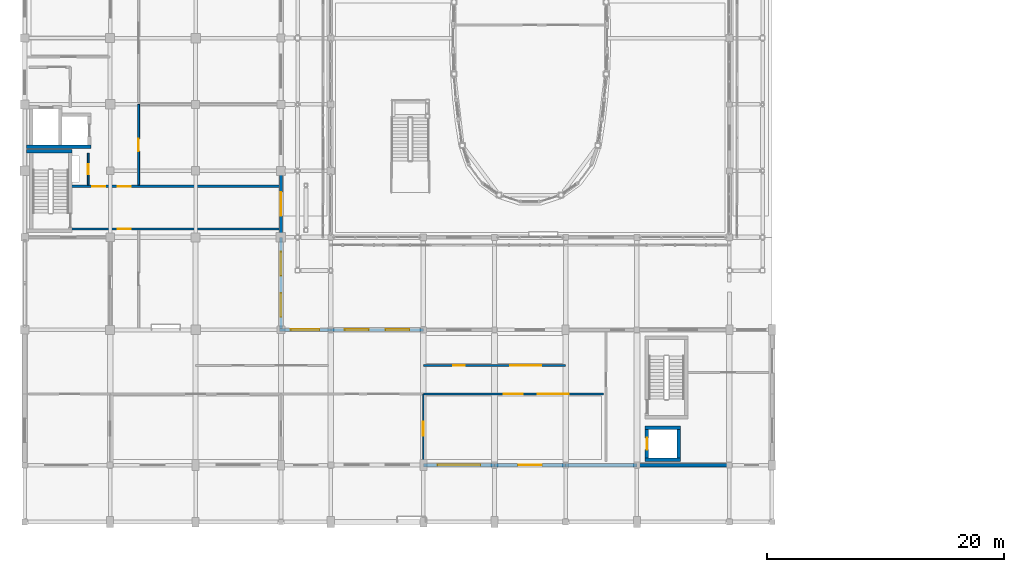
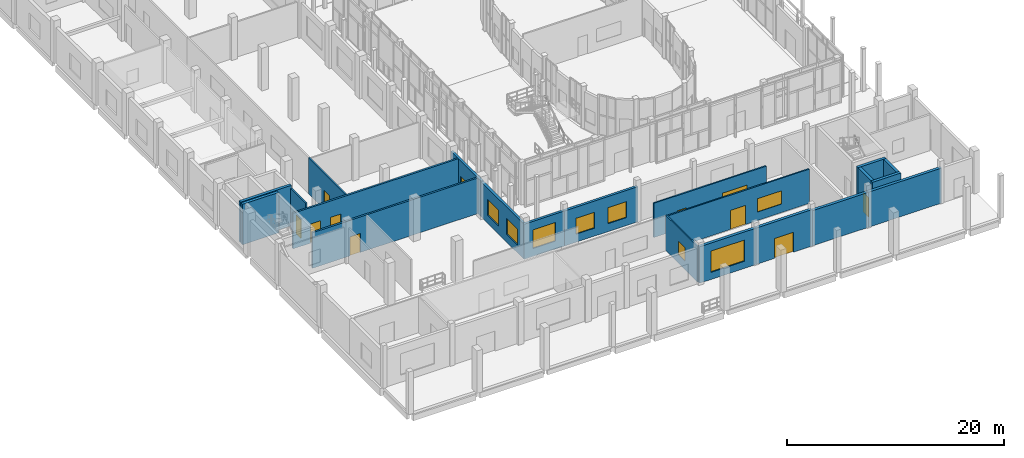
# One storey, part 66 of 91: 21 walls, 10 doors, 9 windows, 19 openings.
"""IFC4 building model written with IfcOpenShell, lengths in metres."""

from ifc_helpers import new_model, si_unit, direction, frame, frame_2d, origin, place, context, subcontext, project, spatial, rectangle, extrude, material, layer, layer_set, type_object, element, fill, save


model = new_model("IFC4")

# Units and contexts
model_context = context("Model", 3, precision=1e-05, world=origin(), true_north=direction((0.0, 1.0)))
body_context = subcontext(model_context, "Body", "Model", "MODEL_VIEW")
ifc_project = project(units=[si_unit("LENGTHUNIT", "METRE"), si_unit("AREAUNIT", "SQUARE_METRE"), si_unit("VOLUMEUNIT", "CUBIC_METRE"), si_unit("PLANEANGLEUNIT", "RADIAN"), si_unit("MASSUNIT", "GRAM", prefix="KILO")], contexts=[model_context])

# Site, building, storey
site_placement = place(None, origin())
site = spatial("IfcSite", under=ifc_project, at=site_placement, CompositionType="ELEMENT")
building_placement = place(site_placement, origin())
building = spatial("IfcBuilding", under=site, at=building_placement, Name="Vinh Khe Railworks Police Headquarters", CompositionType="ELEMENT")
storey_placement = place(building_placement, origin())
storey = spatial("IfcBuildingStorey", under=building, at=storey_placement, Name="L00", CompositionType="ELEMENT", Elevation=0.0)

# Walls
ifc_material_1 = material(Name="Concrete C40/50 (B40)", Category="concrete")
ifc_layer_1 = layer(ifc_material_1, 0.300048828125)
ifc_layer_set_1 = layer_set([ifc_layer_1], Name="Concrete C40/50 (B40)")
wall_type_1 = type_object("IfcWallType", Name="Core Shear Wall 300", PredefinedType="SHEAR", material=ifc_layer_set_1)
wall_1_placement = place(storey_placement, frame((0.75, 32.449951171875, 0.0), z_axis=(0.0, 0.0, 1.0), x_axis=(1.0, 0.0, 0.0)))
element("IfcWall", 1, at=wall_1_placement, inside=storey, type_object=wall_type_1, Name="Core C1 STAIR-N Shear Wall (L00)", PredefinedType="SHEAR", context=body_context, shape_type="SweptSolid", body=[
    extrude(rectangle(XDim=3.85009765625, YDim=0.300048828125, at=frame_2d((1.925048828125, 0.0))), origin(), (0.0, 0.0, 1.0), 4.56005859375),
])
wall_2_placement = place(storey_placement, frame((0.75, 32.85009765625, 0.0), z_axis=(0.0, 0.0, 1.0), x_axis=(1.0, 0.0, 0.0)))
element("IfcWall", 2, at=wall_2_placement, inside=storey, type_object=wall_type_1, Name="Core C1 FL-S Lift Shaft Wall (L00)", PredefinedType="SHEAR", context=body_context, shape_type="SweptSolid", body=[
    extrude(rectangle(XDim=5.449951171875, YDim=0.300048828125, at=frame_2d((2.72509765625, 0.0))), origin(), (0.0, 0.0, 1.0), 4.56005859375),
])
for number, where, z_axis, x_axis, name in (
    (3, (52.89990234375, 6.449951171875, 0.0), (0.0, 0.0, 1.0), (1.0, 0.0, 0.0), "Core C5 PL-S Lift Shaft Wall (L00)"),
    (4, (52.89990234375, 9.14990234375, 0.0), (0.0, 0.0, 1.0), (1.0, 0.0, 0.0), "Core C5 PL-N Lift Shaft Wall (L00)"),
):
    element("IfcWall", number, at=place(storey_placement, frame(where, z_axis=z_axis, x_axis=x_axis)), inside=storey, type_object=wall_type_1, Name=name, PredefinedType="SHEAR", context=body_context, shape_type="SweptSolid", body=[
        extrude(rectangle(XDim=3.0, YDim=0.300048828125, at=frame_2d((1.5, 0.0))), origin(), (0.0, 0.0, 1.0), 4.56005859375),
    ])

# Wall, opening, door
wall_3_placement = place(storey_placement, frame((53.050048828125, 6.60009765625, 0.0), z_axis=(0.0, 0.0, 1.0), x_axis=(0.0, 1.0, 0.0)))
wall_3 = element("IfcWall", 5, at=wall_3_placement, inside=storey, type_object=wall_type_1, Name="Core C5 PL-W Lift Shaft Wall (L00)", PredefinedType="SHEAR", context=body_context, shape_type="SweptSolid", body=[
    extrude(rectangle(XDim=2.39990234375, YDim=0.300048828125, at=frame_2d((1.199951171875, 0.0))), origin(), (0.0, 0.0, 1.0), 4.56005859375),
])
opening_1_placement = place(wall_3_placement, frame((0.699951171875, 0.0, 0.0)))
opening_1 = element("IfcOpeningElement", 6, at=opening_1_placement, cuts=wall_3, Name="Opening LD-02", PredefinedType="OPENING", context=body_context, shape_type="SweptSolid", body=[
    extrude(rectangle(XDim=1.0, YDim=2.14990234375, at=frame_2d((0.5, 1.074951171875))), frame((0.0, 0.1650390625, 0.0), z_axis=(0.0, -1.0, 0.0), x_axis=(1.0, 0.0, 0.0)), (0.0, 0.0, 1.0), 0.329833984375),
])
ifc_material_2 = material(Name="Painted galvanised steel", Category="steel")
door_type_1 = type_object("IfcDoorType", Name="LD-PAX-1000", OperationType="SLIDING_TO_RIGHT", PredefinedType="DOOR", material=ifc_material_2)
door_1_placement = place(opening_1_placement, origin())
door_1 = element("IfcDoor", 7, at=door_1_placement, inside=storey, type_object=door_type_1, Name="Lift Landing Door PL-04 L00", OperationType="SLIDING_TO_LEFT", OverallHeight=2.14990234375, OverallWidth=1.0, PredefinedType="DOOR", context=body_context, shape_type="SweptSolid", body=[
    extrude(rectangle(XDim=1.0, YDim=2.14990234375, at=frame_2d((0.5, 1.074951171875))), frame((0.0, 0.02490234375, 0.0), z_axis=(0.0, -1.0, 0.0), x_axis=(1.0, 0.0, 0.0)), (0.0, 0.0, 1.0), 0.050048828125),
])
fill(opening_1, door_1)

# Wall
wall_4_placement = place(storey_placement, frame((55.75, 6.60009765625, 0.0), z_axis=(0.0, 0.0, 1.0), x_axis=(0.0, 1.0, 0.0)))
element("IfcWall", 8, at=wall_4_placement, inside=storey, type_object=wall_type_1, Name="Core C5 PL-E Lift Shaft Wall (L00)", PredefinedType="SHEAR", context=body_context, shape_type="SweptSolid", body=[
    extrude(rectangle(XDim=2.39990234375, YDim=0.300048828125, at=frame_2d((1.199951171875, 0.0))), origin(), (0.0, 0.0, 1.0), 4.56005859375),
])

# Wall, opening, window
ifc_material_3 = material(Name="Clay brickwork", Category="masonry")
ifc_layer_2 = layer(ifc_material_3, 0.260009765625)
ifc_layer_set_2 = layer_set([ifc_layer_2], Name="Clay brickwork")
wall_type_2 = type_object("IfcWallType", Name="EW-BRK-260", PredefinedType="SOLIDWALL", material=ifc_layer_set_2)
wall_5_placement = place(storey_placement, frame((22.070068359375, 17.39990234375, 0.0), z_axis=(0.0, 0.0, 1.0), x_axis=(1.0, 0.0, 0.0)))
wall_5 = element("IfcWall", 9, at=wall_5_placement, inside=storey, type_object=wall_type_2, Name="Exterior Brick Wall EW-L00-V4N-01", PredefinedType="SOLIDWALL", context=body_context, shape_type="SweptSolid", body=[
    extrude(rectangle(XDim=4.329833984375, YDim=0.260009765625, at=frame_2d((2.1650390625, 0.0))), origin(), (0.0, 0.0, 1.0), 3.955078125),
])
opening_2_placement = place(wall_5_placement, frame((0.965087890625, 0.0, 0.89990234375)))
opening_2 = element("IfcOpeningElement", 10, at=opening_2_placement, cuts=wall_5, Name="Opening WN-02", PredefinedType="OPENING", context=body_context, shape_type="SweptSolid", body=[
    extrude(rectangle(XDim=2.39990234375, YDim=2.10009765625, at=frame_2d((1.199951171875, 1.050048828125))), frame((0.0, 0.14501953125, 0.0), z_axis=(0.0, -1.0, 0.0), x_axis=(1.0, 0.0, 0.0)), (0.0, 0.0, 1.0), 0.289794921875),
])
ifc_material_4 = material(Name="Double-glazed solar-control glass in dark steel frame", Category="steel")
window_type_1 = type_object("IfcWindowType", Name="WIN-WN-02", PartitioningType="DOUBLE_PANEL_VERTICAL", PredefinedType="WINDOW", material=ifc_material_4)
window_1_placement = place(opening_2_placement, origin())
window_1 = element("IfcWindow", 11, at=window_1_placement, inside=storey, type_object=window_type_1, Name="Casement Window WN-02", OverallHeight=2.10009765625, OverallWidth=2.39990234375, PartitioningType="SINGLE_PANEL", PredefinedType="WINDOW", context=body_context, shape_type="SweptSolid", body=[
    extrude(rectangle(XDim=2.39990234375, YDim=2.10009765625, at=frame_2d((1.199951171875, 1.050048828125))), frame((0.0, 0.030029296875, 0.0), z_axis=(0.0, -1.0, 0.0), x_axis=(1.0, 0.0, 0.0)), (0.0, 0.0, 1.0), 0.06005859375),
])
fill(opening_2, window_1)

# Wall, openings, windows
wall_6_placement = place(storey_placement, frame((26.39990234375, 17.39990234375, 0.0), z_axis=(0.0, 0.0, 1.0), x_axis=(1.0, 0.0, 0.0)))
wall_6 = element("IfcWall", 12, at=wall_6_placement, inside=storey, type_object=wall_type_2, Name="Exterior Brick Wall EW-L00-V4N-02", PredefinedType="SOLIDWALL", context=body_context, shape_type="SweptSolid", body=[
    extrude(rectangle(XDim=7.800048828125, YDim=0.260009765625, at=frame_2d((3.89990234375, 0.0))), origin(), (0.0, 0.0, 1.0), 3.955078125),
])
opening_3_placement = place(wall_6_placement, frame((1.18408203125, 0.0, 0.89990234375)))
opening_3 = element("IfcOpeningElement", 13, at=opening_3_placement, cuts=wall_6, Name="Opening WN-04", PredefinedType="OPENING", context=body_context, shape_type="SweptSolid", body=[
    extrude(rectangle(XDim=2.0, YDim=1.800048828125, at=frame_2d((1.0, 0.89990234375))), frame((0.0, 0.14501953125, 0.0), z_axis=(0.0, -1.0, 0.0), x_axis=(1.0, 0.0, 0.0)), (0.0, 0.0, 1.0), 0.289794921875),
])
opening_4_placement = place(wall_6_placement, frame((4.615966796875, 0.0, 0.89990234375)))
opening_4 = element("IfcOpeningElement", 14, at=opening_4_placement, cuts=wall_6, Name="Opening WN-04", PredefinedType="OPENING", context=body_context, shape_type="SweptSolid", body=[
    extrude(rectangle(XDim=2.0, YDim=1.800048828125, at=frame_2d((1.0, 0.89990234375))), frame((0.0, 0.14501953125, 0.0), z_axis=(0.0, -1.0, 0.0), x_axis=(1.0, 0.0, 0.0)), (0.0, 0.0, 1.0), 0.289794921875),
])
window_type_2 = type_object("IfcWindowType", Name="WIN-WN-04", PartitioningType="DOUBLE_PANEL_VERTICAL", PredefinedType="WINDOW", material=ifc_material_4)
window_2_placement = place(opening_3_placement, origin())
window_2 = element("IfcWindow", 15, at=window_2_placement, inside=storey, type_object=window_type_2, Name="Casement Window WN-04", OverallHeight=1.800048828125, OverallWidth=2.0, PartitioningType="SINGLE_PANEL", PredefinedType="WINDOW", context=body_context, shape_type="SweptSolid", body=[
    extrude(rectangle(XDim=2.0, YDim=1.800048828125, at=frame_2d((1.0, 0.89990234375))), frame((0.0, 0.030029296875, 0.0), z_axis=(0.0, -1.0, 0.0), x_axis=(1.0, 0.0, 0.0)), (0.0, 0.0, 1.0), 0.06005859375),
])
fill(opening_3, window_2)
window_3_placement = place(opening_4_placement, origin())
window_3 = element("IfcWindow", 16, at=window_3_placement, inside=storey, type_object=window_type_2, Name="Casement Window WN-04", OverallHeight=1.800048828125, OverallWidth=2.0, PartitioningType="SINGLE_PANEL", PredefinedType="WINDOW", context=body_context, shape_type="SweptSolid", body=[
    extrude(rectangle(XDim=2.0, YDim=1.800048828125, at=frame_2d((1.0, 0.89990234375))), frame((0.0, 0.030029296875, 0.0), z_axis=(0.0, -1.0, 0.0), x_axis=(1.0, 0.0, 0.0)), (0.0, 0.0, 1.0), 0.06005859375),
])
fill(opening_4, window_3)

wall_7_placement = place(storey_placement, frame((22.199951171875, 17.27001953125, 0.0), z_axis=(0.0, 0.0, 1.0), x_axis=(0.0, 1.0, 0.0)))
wall_7 = element("IfcWall", 17, at=wall_7_placement, inside=storey, type_object=wall_type_2, Name="Exterior Brick Wall EW-L00-V5E-01", PredefinedType="SOLIDWALL", context=body_context, shape_type="SweptSolid", body=[
    extrude(rectangle(XDim=7.929931640625, YDim=0.260009765625, at=frame_2d((3.96484375, 0.0))), origin(), (0.0, 0.0, 1.0), 3.955078125),
])
opening_5_placement = place(wall_7_placement, frame((1.220458984375, 0.0, 0.89990234375)))
opening_5 = element("IfcOpeningElement", 18, at=opening_5_placement, cuts=wall_7, Name="Opening WN-04", PredefinedType="OPENING", context=body_context, shape_type="SweptSolid", body=[
    extrude(rectangle(XDim=2.0, YDim=1.800048828125, at=frame_2d((1.0, 0.89990234375))), frame((0.0, 0.14501953125, 0.0), z_axis=(0.0, -1.0, 0.0), x_axis=(1.0, 0.0, 0.0)), (0.0, 0.0, 1.0), 0.289794921875),
])
opening_6_placement = place(wall_7_placement, frame((4.709716796875, 0.0, 0.89990234375)))
opening_6 = element("IfcOpeningElement", 19, at=opening_6_placement, cuts=wall_7, Name="Opening WN-04", PredefinedType="OPENING", context=body_context, shape_type="SweptSolid", body=[
    extrude(rectangle(XDim=2.0, YDim=1.800048828125, at=frame_2d((1.0, 0.89990234375))), frame((0.0, 0.14501953125, 0.0), z_axis=(0.0, -1.0, 0.0), x_axis=(1.0, 0.0, 0.0)), (0.0, 0.0, 1.0), 0.289794921875),
])
window_4_placement = place(opening_5_placement, origin())
window_4 = element("IfcWindow", 20, at=window_4_placement, inside=storey, type_object=window_type_2, Name="Casement Window WN-04", OverallHeight=1.800048828125, OverallWidth=2.0, PartitioningType="SINGLE_PANEL", PredefinedType="WINDOW", context=body_context, shape_type="SweptSolid", body=[
    extrude(rectangle(XDim=2.0, YDim=1.800048828125, at=frame_2d((1.0, 0.89990234375))), frame((0.0, 0.030029296875, 0.0), z_axis=(0.0, -1.0, 0.0), x_axis=(1.0, 0.0, 0.0)), (0.0, 0.0, 1.0), 0.06005859375),
])
fill(opening_5, window_4)
window_5_placement = place(opening_6_placement, origin())
window_5 = element("IfcWindow", 21, at=window_5_placement, inside=storey, type_object=window_type_2, Name="Casement Window WN-04", OverallHeight=1.800048828125, OverallWidth=2.0, PartitioningType="SINGLE_PANEL", PredefinedType="WINDOW", context=body_context, shape_type="SweptSolid", body=[
    extrude(rectangle(XDim=2.0, YDim=1.800048828125, at=frame_2d((1.0, 0.89990234375))), frame((0.0, 0.030029296875, 0.0), z_axis=(0.0, -1.0, 0.0), x_axis=(1.0, 0.0, 0.0)), (0.0, 0.0, 1.0), 0.06005859375),
])
fill(opening_6, window_5)

# Wall, opening, door
wall_8_placement = place(storey_placement, frame((22.199951171875, 25.199951171875, 0.0), z_axis=(0.0, 0.0, 1.0), x_axis=(0.0, 1.0, 0.0)))
wall_8 = element("IfcWall", 22, at=wall_8_placement, inside=storey, type_object=wall_type_2, Name="Exterior Brick Wall EW-L00-V5E-02", PredefinedType="SOLIDWALL", context=body_context, shape_type="SweptSolid", body=[
    extrude(rectangle(XDim=5.60009765625, YDim=0.260009765625, at=frame_2d((2.800048828125, 0.0))), origin(), (0.0, 0.0, 1.0), 4.0048828125),
])
opening_7_placement = place(wall_8_placement, frame((1.800048828125, 0.0, 0.0)))
opening_7 = element("IfcOpeningElement", 23, at=opening_7_placement, cuts=wall_8, Name="Opening ED-01", PredefinedType="OPENING", context=body_context, shape_type="SweptSolid", body=[
    extrude(rectangle(XDim=2.0, YDim=2.25, at=frame_2d((1.0, 1.125))), frame((0.0, 0.14501953125, 0.0), z_axis=(0.0, -1.0, 0.0), x_axis=(1.0, 0.0, 0.0)), (0.0, 0.0, 1.0), 0.289794921875),
])
ifc_material_5 = material(Name="Dark anodised aluminium and laminated safety glass", Category="aluminium")
door_type_2 = type_object("IfcDoorType", Name="ED-EXIT-2000", OperationType="DOUBLE_DOOR_SINGLE_SWING", PredefinedType="DOOR", material=ifc_material_5)
door_2_placement = place(opening_7_placement, frame((2.0, 0.0, 0.0), z_axis=(0.0, 0.0, 1.0), x_axis=(-1.0, 0.0, 0.0)))
door_2 = element("IfcDoor", 24, at=door_2_placement, inside=storey, type_object=door_type_2, Name="Core C1 Courtyard Final Exit Door", OperationType="DOUBLE_DOOR_SINGLE_SWING", OverallHeight=2.25, OverallWidth=2.0, PredefinedType="DOOR", context=body_context, shape_type="SweptSolid", body=[
    extrude(rectangle(XDim=2.0, YDim=2.25, at=frame_2d((1.0, 1.125))), frame((0.0, 0.02490234375, 0.0), z_axis=(0.0, -1.0, 0.0), x_axis=(1.0, 0.0, 0.0)), (0.0, 0.0, 1.0), 0.050048828125),
])
fill(opening_7, door_2)

# Wall, opening, window
ifc_layer_3 = layer(ifc_material_3, 0.300048828125)
ifc_layer_set_3 = layer_set([ifc_layer_3], Name="Clay brickwork")
wall_type_3 = type_object("IfcWallType", Name="EW-BRK-300", PredefinedType="SOLIDWALL", material=ifc_layer_set_3)
wall_9_placement = place(storey_placement, frame((34.199951171875, 6.0, 0.0), z_axis=(0.0, 0.0, 1.0), x_axis=(1.0, 0.0, 0.0)))
wall_9 = element("IfcWall", 25, at=wall_9_placement, inside=storey, type_object=wall_type_3, Name="Exterior Brick Wall EW-L00-V4S-06", PredefinedType="SOLIDWALL", context=body_context, shape_type="SweptSolid", body=[
    extrude(rectangle(XDim=6.0, YDim=0.300048828125, at=frame_2d((3.0, 0.0))), origin(), (0.0, 0.0, 1.0), 4.10498046875),
])
opening_8_placement = place(wall_9_placement, frame((1.199951171875, 0.0, 0.800048828125)))
opening_8 = element("IfcOpeningElement", 26, at=opening_8_placement, cuts=wall_9, Name="Opening WN-06", PredefinedType="OPENING", context=body_context, shape_type="SweptSolid", body=[
    extrude(rectangle(XDim=3.60009765625, YDim=2.39990234375, at=frame_2d((1.800048828125, 1.199951171875))), frame((0.0, 0.1650390625, 0.0), z_axis=(0.0, -1.0, 0.0), x_axis=(1.0, 0.0, 0.0)), (0.0, 0.0, 1.0), 0.329833984375),
])
window_type_3 = type_object("IfcWindowType", Name="WIN-WN-06", PartitioningType="TRIPLE_PANEL_VERTICAL", PredefinedType="WINDOW", material=ifc_material_4)
window_6_placement = place(opening_8_placement, origin())
window_6 = element("IfcWindow", 27, at=window_6_placement, inside=storey, type_object=window_type_3, Name="Casement Window WN-06", OverallHeight=2.39990234375, OverallWidth=3.60009765625, PartitioningType="SINGLE_PANEL", PredefinedType="WINDOW", context=body_context, shape_type="SweptSolid", body=[
    extrude(rectangle(XDim=3.60009765625, YDim=2.39990234375, at=frame_2d((1.800048828125, 1.199951171875))), frame((0.0, 0.030029296875, 0.0), z_axis=(0.0, -1.0, 0.0), x_axis=(1.0, 0.0, 0.0)), (0.0, 0.0, 1.0), 0.06005859375),
])
fill(opening_8, window_6)

# Wall, opening, door
wall_10_placement = place(storey_placement, frame((40.199951171875, 6.0, 0.0), z_axis=(0.0, 0.0, 1.0), x_axis=(1.0, 0.0, 0.0)))
wall_10 = element("IfcWall", 28, at=wall_10_placement, inside=storey, type_object=wall_type_3, Name="Exterior Brick Wall EW-L00-V4S-07", PredefinedType="SOLIDWALL", context=body_context, shape_type="SweptSolid", body=[
    extrude(rectangle(XDim=6.0, YDim=0.300048828125, at=frame_2d((3.0, 0.0))), origin(), (0.0, 0.0, 1.0), 4.10498046875),
])
opening_9_placement = place(wall_10_placement, frame((2.0, 0.0, 0.0)))
opening_9 = element("IfcOpeningElement", 29, at=opening_9_placement, cuts=wall_10, Name="Opening ED-01", PredefinedType="OPENING", context=body_context, shape_type="SweptSolid", body=[
    extrude(rectangle(XDim=2.0, YDim=2.25, at=frame_2d((1.0, 1.125))), frame((0.0, 0.1650390625, 0.0), z_axis=(0.0, -1.0, 0.0), x_axis=(1.0, 0.0, 0.0)), (0.0, 0.0, 1.0), 0.329833984375),
])
door_3_placement = place(opening_9_placement, frame((2.0, 0.0, 0.0), z_axis=(0.0, 0.0, 1.0), x_axis=(-1.0, 0.0, 0.0)))
door_3 = element("IfcDoor", 30, at=door_3_placement, inside=storey, type_object=door_type_2, Name="Public Cafe Colonnade Exit Door", OperationType="DOUBLE_DOOR_SINGLE_SWING", OverallHeight=2.25, OverallWidth=2.0, PredefinedType="DOOR", context=body_context, shape_type="SweptSolid", body=[
    extrude(rectangle(XDim=2.0, YDim=2.25, at=frame_2d((1.0, 1.125))), frame((0.0, 0.02490234375, 0.0), z_axis=(0.0, -1.0, 0.0), x_axis=(1.0, 0.0, 0.0)), (0.0, 0.0, 1.0), 0.050048828125),
])
fill(opening_9, door_3)

# Walls
wall_11_placement = place(storey_placement, frame((46.199951171875, 6.0, 0.0), z_axis=(0.0, 0.0, 1.0), x_axis=(1.0, 0.0, 0.0)))
element("IfcWall", 31, at=wall_11_placement, inside=storey, type_object=wall_type_3, Name="Exterior Brick Wall EW-L00-V4S-08", PredefinedType="SOLIDWALL", context=body_context, shape_type="SweptSolid", body=[
    extrude(rectangle(XDim=6.0, YDim=0.300048828125, at=frame_2d((3.0, 0.0))), origin(), (0.0, 0.0, 1.0), 3.955078125),
])
wall_12_placement = place(storey_placement, frame((52.199951171875, 6.0, 0.0), z_axis=(0.0, 0.0, 1.0), x_axis=(1.0, 0.0, 0.0)))
element("IfcWall", 32, at=wall_12_placement, inside=storey, type_object=wall_type_3, Name="Exterior Brick Wall EW-L00-V4S-09", PredefinedType="SOLIDWALL", context=body_context, shape_type="SweptSolid", body=[
    extrude(rectangle(XDim=7.800048828125, YDim=0.300048828125, at=frame_2d((3.89990234375, 0.0))), origin(), (0.0, 0.0, 1.0), 3.955078125),
])

# Wall, opening, door
ifc_material_6 = material(Name="Autoclaved aerated concrete blockwork", Category="masonry")
ifc_layer_4 = layer(ifc_material_6, 0.199951171875)
ifc_layer_set_4 = layer_set([ifc_layer_4], Name="Autoclaved aerated concrete blockwork")
wall_type_4 = type_object("IfcWallType", Name="IW-BLK-200", PredefinedType="PARTITIONING", material=ifc_layer_set_4)
wall_13_placement = place(storey_placement, frame((4.449951171875, 25.89990234375, 0.0), z_axis=(0.0, 0.0, 1.0), x_axis=(1.0, 0.0, 0.0)))
wall_13 = element("IfcWall", 33, at=wall_13_placement, inside=storey, type_object=wall_type_4, Name="Interior Partition W-STL-C1-S-L00", PredefinedType="PARTITIONING", context=body_context, shape_type="SweptSolid", body=[
    extrude(rectangle(XDim=17.610107421875, YDim=0.199951171875, at=frame_2d((8.80517578125, 0.0))), origin(), (0.0, 0.0, 1.0), 4.0048828125),
])
opening_10_placement = place(wall_13_placement, frame((4.0, 0.0, 0.0)))
opening_10 = element("IfcOpeningElement", 34, at=opening_10_placement, cuts=wall_13, Name="Opening FD-01", PredefinedType="OPENING", context=body_context, shape_type="SweptSolid", body=[
    extrude(rectangle(XDim=1.10009765625, YDim=2.14990234375, at=frame_2d((0.550048828125, 1.074951171875))), frame((0.0, 0.11474609375, 0.0), z_axis=(0.0, -1.0, 0.0), x_axis=(1.0, 0.0, 0.0)), (0.0, 0.0, 1.0), 0.229736328125),
])
door_type_3 = type_object("IfcDoorType", Name="FD-1100x2150", OperationType="NOTDEFINED", PredefinedType="DOOR", material=ifc_material_2)
door_4_placement = place(opening_10_placement, origin())
door_4 = element("IfcDoor", 35, at=door_4_placement, inside=storey, type_object=door_type_3, Name="Exit Passage South Fire Door", OperationType="SINGLE_SWING_LEFT", OverallHeight=2.14990234375, OverallWidth=1.10009765625, PredefinedType="DOOR", context=body_context, shape_type="SweptSolid", body=[
    extrude(rectangle(XDim=1.10009765625, YDim=2.14990234375, at=frame_2d((0.550048828125, 1.074951171875))), frame((0.0, 0.02490234375, 0.0), z_axis=(0.0, -1.0, 0.0), x_axis=(1.0, 0.0, 0.0)), (0.0, 0.0, 1.0), 0.050048828125),
])
fill(opening_10, door_4)

# Wall, openings, doors
wall_14_placement = place(storey_placement, frame((4.449951171875, 29.5, 0.0), z_axis=(0.0, 0.0, 1.0), x_axis=(1.0, 0.0, 0.0)))
wall_14 = element("IfcWall", 36, at=wall_14_placement, inside=storey, type_object=wall_type_4, Name="Interior Partition W-STL-C1-N-L00", PredefinedType="PARTITIONING", context=body_context, shape_type="SweptSolid", body=[
    extrude(rectangle(XDim=17.610107421875, YDim=0.199951171875, at=frame_2d((8.80517578125, 0.0))), origin(), (0.0, 0.0, 1.0), 4.0048828125),
])
opening_11_placement = place(wall_14_placement, frame((1.85009765625, 0.0, 0.0)))
opening_11 = element("IfcOpeningElement", 37, at=opening_11_placement, cuts=wall_14, Name="Opening FD-01", PredefinedType="OPENING", context=body_context, shape_type="SweptSolid", body=[
    extrude(rectangle(XDim=1.10009765625, YDim=2.14990234375, at=frame_2d((0.550048828125, 1.074951171875))), frame((0.0, 0.11474609375, 0.0), z_axis=(0.0, -1.0, 0.0), x_axis=(1.0, 0.0, 0.0)), (0.0, 0.0, 1.0), 0.229736328125),
])
opening_12_placement = place(wall_14_placement, frame((4.0, 0.0, 0.0)))
opening_12 = element("IfcOpeningElement", 38, at=opening_12_placement, cuts=wall_14, Name="Opening FD-01", PredefinedType="OPENING", context=body_context, shape_type="SweptSolid", body=[
    extrude(rectangle(XDim=1.10009765625, YDim=2.14990234375, at=frame_2d((0.550048828125, 1.074951171875))), frame((0.0, 0.11474609375, 0.0), z_axis=(0.0, -1.0, 0.0), x_axis=(1.0, 0.0, 0.0)), (0.0, 0.0, 1.0), 0.229736328125),
])
door_5_placement = place(opening_11_placement, origin())
door_5 = element("IfcDoor", 39, at=door_5_placement, inside=storey, type_object=door_type_3, Name="Lift Lobby Stair Fire Door", OperationType="SINGLE_SWING_RIGHT", OverallHeight=2.14990234375, OverallWidth=1.10009765625, PredefinedType="DOOR", context=body_context, shape_type="SweptSolid", body=[
    extrude(rectangle(XDim=1.10009765625, YDim=2.14990234375, at=frame_2d((0.550048828125, 1.074951171875))), frame((0.0, 0.02490234375, 0.0), z_axis=(0.0, -1.0, 0.0), x_axis=(1.0, 0.0, 0.0)), (0.0, 0.0, 1.0), 0.050048828125),
])
fill(opening_11, door_5)
door_6_placement = place(opening_12_placement, origin())
door_6 = element("IfcDoor", 40, at=door_6_placement, inside=storey, type_object=door_type_3, Name="Exit Passage North Fire Door", OperationType="SINGLE_SWING_LEFT", OverallHeight=2.14990234375, OverallWidth=1.10009765625, PredefinedType="DOOR", context=body_context, shape_type="SweptSolid", body=[
    extrude(rectangle(XDim=1.10009765625, YDim=2.14990234375, at=frame_2d((0.550048828125, 1.074951171875))), frame((0.0, 0.02490234375, 0.0), z_axis=(0.0, -1.0, 0.0), x_axis=(1.0, 0.0, 0.0)), (0.0, 0.0, 1.0), 0.050048828125),
])
fill(opening_12, door_6)

# Wall, opening, window
ifc_material_7 = material(Name="Gypsum plasterboard on steel stud", Category="steel")
ifc_layer_5 = layer(ifc_material_7, 0.1201171875)
ifc_layer_set_5 = layer_set([ifc_layer_5], Name="Gypsum plasterboard on steel stud")
wall_type_5 = type_object("IfcWallType", Name="IW-PART-120", PredefinedType="PARTITIONING", material=ifc_layer_set_5)
wall_15_placement = place(storey_placement, frame((34.199951171875, 6.139892578125, 0.0), z_axis=(0.0, 0.0, 1.0), x_axis=(0.0, 1.0, 0.0)))
wall_15 = element("IfcWall", 41, at=wall_15_placement, inside=storey, type_object=wall_type_5, Name="Interior Partition W-L00-V4-CAFE-W", PredefinedType="PARTITIONING", context=body_context, shape_type="SweptSolid", body=[
    extrude(rectangle(XDim=5.860107421875, YDim=0.14990234375, at=frame_2d((2.93017578125, 0.0))), origin(), (0.0, 0.0, 1.0), 3.965087890625),
])
opening_13_placement = place(wall_15_placement, frame((2.330078125, 0.0, 0.949951171875)))
opening_13 = element("IfcOpeningElement", 42, at=opening_13_placement, cuts=wall_15, Name="Opening WN-10", PredefinedType="OPENING", context=body_context, shape_type="SweptSolid", body=[
    extrude(rectangle(XDim=1.199951171875, YDim=1.5, at=frame_2d((0.60009765625, 0.75))), frame((0.0, 0.08984375, 0.0), z_axis=(0.0, -1.0, 0.0), x_axis=(1.0, 0.0, 0.0)), (0.0, 0.0, 1.0), 0.1796875),
])
window_type_4 = type_object("IfcWindowType", Name="WIN-WN-10", PartitioningType="SINGLE_PANEL", PredefinedType="WINDOW", material=ifc_material_4)
window_7_placement = place(opening_13_placement, origin())
window_7 = element("IfcWindow", 43, at=window_7_placement, inside=storey, type_object=window_type_4, Name="Interior Acoustic Vision Window WN-10", OverallHeight=1.5, OverallWidth=1.199951171875, PartitioningType="SINGLE_PANEL", PredefinedType="WINDOW", context=body_context, shape_type="SweptSolid", body=[
    extrude(rectangle(XDim=1.199951171875, YDim=1.5, at=frame_2d((0.60009765625, 0.75))), frame((0.0, 0.030029296875, 0.0), z_axis=(0.0, -1.0, 0.0), x_axis=(1.0, 0.0, 0.0)), (0.0, 0.0, 1.0), 0.06005859375),
])
fill(opening_13, window_7)

# Wall, opening, door
ifc_material_8 = material(Name="Gypsum plasterboard on acoustic steel stud", Category="steel")
ifc_layer_6 = layer(ifc_material_8, 0.14990234375)
ifc_layer_set_6 = layer_set([ifc_layer_6], Name="Gypsum plasterboard on acoustic steel stud")
wall_type_6 = type_object("IfcWallType", Name="IW-PART-150", PredefinedType="PARTITIONING", material=ifc_layer_set_6)
wall_16_placement = place(storey_placement, frame((5.949951171875, 29.60009765625, 0.0), z_axis=(0.0, 0.0, 1.0), x_axis=(0.0, 1.0, 0.0)))
wall_16 = element("IfcWall", 44, at=wall_16_placement, inside=storey, type_object=wall_type_6, Name="Interior Partition W-RSR-C1-E-L00", PredefinedType="PARTITIONING", context=body_context, shape_type="SweptSolid", body=[
    extrude(rectangle(XDim=2.699951171875, YDim=0.14990234375, at=frame_2d((1.35009765625, 0.0))), origin(), (0.0, 0.0, 1.0), 4.554931640625),
])
opening_14_placement = place(wall_16_placement, frame((0.925048828125, 0.0, 0.0)))
opening_14 = element("IfcOpeningElement", 45, at=opening_14_placement, cuts=wall_16, Name="Opening FD-04", PredefinedType="OPENING", context=body_context, shape_type="SweptSolid", body=[
    extrude(rectangle(XDim=0.85009765625, YDim=2.10009765625, at=frame_2d((0.425048828125, 1.050048828125))), frame((0.0, 0.08984375, 0.0), z_axis=(0.0, -1.0, 0.0), x_axis=(1.0, 0.0, 0.0)), (0.0, 0.0, 1.0), 0.1796875),
])
door_type_4 = type_object("IfcDoorType", Name="FD-850x2100", OperationType="NOTDEFINED", PredefinedType="DOOR", material=ifc_material_2)
door_7_placement = place(opening_14_placement, origin())
door_7 = element("IfcDoor", 46, at=door_7_placement, inside=storey, type_object=door_type_4, Name="Electrical Riser Access Door", OperationType="SINGLE_SWING_RIGHT", OverallHeight=2.10009765625, OverallWidth=0.85009765625, PredefinedType="DOOR", context=body_context, shape_type="SweptSolid", body=[
    extrude(rectangle(XDim=0.85009765625, YDim=2.10009765625, at=frame_2d((0.425048828125, 1.050048828125))), frame((0.0, 0.02490234375, 0.0), z_axis=(0.0, -1.0, 0.0), x_axis=(1.0, 0.0, 0.0)), (0.0, 0.0, 1.0), 0.050048828125),
])
fill(opening_14, door_7)

# Wall, openings, door, window
wall_17_placement = place(storey_placement, frame((34.199951171875, 12.0, 0.0), z_axis=(0.0, 0.0, 1.0), x_axis=(1.0, 0.0, 0.0)))
wall_17 = element("IfcWall", 47, at=wall_17_placement, inside=storey, type_object=wall_type_6, Name="Interior Partition W-L00-V4-CAFE-N", PredefinedType="PARTITIONING", context=body_context, shape_type="SweptSolid", body=[
    extrude(rectangle(XDim=15.199951171875, YDim=0.14990234375, at=frame_2d((7.60009765625, 0.0))), origin(), (0.0, 0.0, 1.0), 3.864990234375),
])
opening_15_placement = place(wall_17_placement, frame((6.800048828125, 0.0, 0.0)))
opening_15 = element("IfcOpeningElement", 48, at=opening_15_placement, cuts=wall_17, Name="Opening D-03", PredefinedType="OPENING", context=body_context, shape_type="SweptSolid", body=[
    extrude(rectangle(XDim=1.60009765625, YDim=2.14990234375, at=frame_2d((0.800048828125, 1.074951171875))), frame((0.0, 0.08984375, 0.0), z_axis=(0.0, -1.0, 0.0), x_axis=(1.0, 0.0, 0.0)), (0.0, 0.0, 1.0), 0.1796875),
])
opening_16_placement = place(wall_17_placement, frame((9.64404296875, 0.0, 0.949951171875)))
opening_16 = element("IfcOpeningElement", 49, at=opening_16_placement, cuts=wall_17, Name="Opening WN-07", PredefinedType="OPENING", context=body_context, shape_type="SweptSolid", body=[
    extrude(rectangle(XDim=2.60009765625, YDim=1.5, at=frame_2d((1.300048828125, 0.75))), frame((0.0, 0.08984375, 0.0), z_axis=(0.0, -1.0, 0.0), x_axis=(1.0, 0.0, 0.0)), (0.0, 0.0, 1.0), 0.1796875),
])
door_type_5 = type_object("IfcDoorType", Name="ID-1600x2150", OperationType="DOUBLE_DOOR_SINGLE_SWING", PredefinedType="DOOR", material=ifc_material_2)
door_8_placement = place(opening_15_placement, origin())
door_8 = element("IfcDoor", 50, at=door_8_placement, inside=storey, type_object=door_type_5, Name="Public Cafe Door", OperationType="DOUBLE_DOOR_SINGLE_SWING", OverallHeight=2.14990234375, OverallWidth=1.60009765625, PredefinedType="DOOR", context=body_context, shape_type="SweptSolid", body=[
    extrude(rectangle(XDim=1.60009765625, YDim=2.14990234375, at=frame_2d((0.800048828125, 1.074951171875))), frame((0.0, 0.02490234375, 0.0), z_axis=(0.0, -1.0, 0.0), x_axis=(1.0, 0.0, 0.0)), (0.0, 0.0, 1.0), 0.050048828125),
])
fill(opening_15, door_8)
window_type_5 = type_object("IfcWindowType", Name="WIN-WN-07", PartitioningType="DOUBLE_PANEL_HORIZONTAL", PredefinedType="WINDOW", material=ifc_material_4)
window_8_placement = place(opening_16_placement, origin())
window_8 = element("IfcWindow", 51, at=window_8_placement, inside=storey, type_object=window_type_5, Name="Interior Acoustic Vision Window WN-07", OverallHeight=1.5, OverallWidth=2.60009765625, PartitioningType="SINGLE_PANEL", PredefinedType="WINDOW", context=body_context, shape_type="SweptSolid", body=[
    extrude(rectangle(XDim=2.60009765625, YDim=1.5, at=frame_2d((1.300048828125, 0.75))), frame((0.0, 0.030029296875, 0.0), z_axis=(0.0, -1.0, 0.0), x_axis=(1.0, 0.0, 0.0)), (0.0, 0.0, 1.0), 0.06005859375),
])
fill(opening_16, window_8)

wall_18_placement = place(storey_placement, frame((34.199951171875, 14.39990234375, 0.0), z_axis=(0.0, 0.0, 1.0), x_axis=(1.0, 0.0, 0.0)))
wall_18 = element("IfcWall", 52, at=wall_18_placement, inside=storey, type_object=wall_type_6, Name="Interior Partition W-L00-V4-KIT", PredefinedType="PARTITIONING", context=body_context, shape_type="SweptSolid", body=[
    extrude(rectangle(XDim=12.0, YDim=0.14990234375, at=frame_2d((6.0, 0.0))), origin(), (0.0, 0.0, 1.0), 3.864990234375),
])
opening_17_placement = place(wall_18_placement, frame((2.52490234375, 0.0, 0.0)))
opening_17 = element("IfcOpeningElement", 53, at=opening_17_placement, cuts=wall_18, Name="Opening D-01", PredefinedType="OPENING", context=body_context, shape_type="SweptSolid", body=[
    extrude(rectangle(XDim=0.949951171875, YDim=2.14990234375, at=frame_2d((0.47509765625, 1.074951171875))), frame((0.0, 0.08984375, 0.0), z_axis=(0.0, -1.0, 0.0), x_axis=(1.0, 0.0, 0.0)), (0.0, 0.0, 1.0), 0.1796875),
])
opening_18_placement = place(wall_18_placement, frame((7.340087890625, 0.0, 0.949951171875)))
opening_18 = element("IfcOpeningElement", 54, at=opening_18_placement, cuts=wall_18, Name="Opening WN-07", PredefinedType="OPENING", context=body_context, shape_type="SweptSolid", body=[
    extrude(rectangle(XDim=2.60009765625, YDim=1.5, at=frame_2d((1.300048828125, 0.75))), frame((0.0, 0.08984375, 0.0), z_axis=(0.0, -1.0, 0.0), x_axis=(1.0, 0.0, 0.0)), (0.0, 0.0, 1.0), 0.1796875),
])
ifc_material_9 = material(Name="Seasoned hardwood timber", Category="wood")
door_type_6 = type_object("IfcDoorType", Name="ID-950x2150", OperationType="NOTDEFINED", PredefinedType="DOOR", material=ifc_material_9)
door_9_placement = place(opening_17_placement, origin())
door_9 = element("IfcDoor", 55, at=door_9_placement, inside=storey, type_object=door_type_6, Name="Pantry Door", OperationType="SINGLE_SWING_LEFT", OverallHeight=2.14990234375, OverallWidth=0.949951171875, PredefinedType="DOOR", context=body_context, shape_type="SweptSolid", body=[
    extrude(rectangle(XDim=0.949951171875, YDim=2.14990234375, at=frame_2d((0.47509765625, 1.074951171875))), frame((0.0, 0.02490234375, 0.0), z_axis=(0.0, -1.0, 0.0), x_axis=(1.0, 0.0, 0.0)), (0.0, 0.0, 1.0), 0.050048828125),
])
fill(opening_17, door_9)
window_9_placement = place(opening_18_placement, origin())
window_9 = element("IfcWindow", 56, at=window_9_placement, inside=storey, type_object=window_type_5, Name="Interior Acoustic Vision Window WN-07", OverallHeight=1.5, OverallWidth=2.60009765625, PartitioningType="SINGLE_PANEL", PredefinedType="WINDOW", context=body_context, shape_type="SweptSolid", body=[
    extrude(rectangle(XDim=2.60009765625, YDim=1.5, at=frame_2d((1.300048828125, 0.75))), frame((0.0, 0.030029296875, 0.0), z_axis=(0.0, -1.0, 0.0), x_axis=(1.0, 0.0, 0.0)), (0.0, 0.0, 1.0), 0.06005859375),
])
fill(opening_18, window_9)

# Wall, opening, door
wall_19_placement = place(storey_placement, frame((10.199951171875, 29.60009765625, 0.0), z_axis=(0.0, 0.0, 1.0), x_axis=(0.0, 1.0, 0.0)))
wall_19 = element("IfcWall", 57, at=wall_19_placement, inside=storey, type_object=wall_type_6, Name="Interior Partition W-L00-V5-INTAKE2-CE", PredefinedType="PARTITIONING", context=body_context, shape_type="SweptSolid", body=[
    extrude(rectangle(XDim=6.7998046875, YDim=0.14990234375, at=frame_2d((3.39990234375, 0.0))), origin(), (0.0, 0.0, 1.0), 4.054931640625),
])
opening_19_placement = place(wall_19_placement, frame((2.875, 0.0, 0.0)))
opening_19 = element("IfcOpeningElement", 58, at=opening_19_placement, cuts=wall_19, Name="Opening D-02", PredefinedType="OPENING", context=body_context, shape_type="SweptSolid", body=[
    extrude(rectangle(XDim=1.050048828125, YDim=2.14990234375, at=frame_2d((0.52490234375, 1.074951171875))), frame((0.0, 0.08984375, 0.0), z_axis=(0.0, -1.0, 0.0), x_axis=(1.0, 0.0, 0.0)), (0.0, 0.0, 1.0), 0.1796875),
])
door_type_7 = type_object("IfcDoorType", Name="ID-1050x2150", OperationType="NOTDEFINED", PredefinedType="DOOR", material=ifc_material_9)
door_10_placement = place(opening_19_placement, origin())
door_10 = element("IfcDoor", 59, at=door_10_placement, inside=storey, type_object=door_type_7, Name="Public Petition Reception North Door", OperationType="SINGLE_SWING_RIGHT", OverallHeight=2.14990234375, OverallWidth=1.050048828125, PredefinedType="DOOR", context=body_context, shape_type="SweptSolid", body=[
    extrude(rectangle(XDim=1.050048828125, YDim=2.14990234375, at=frame_2d((0.52490234375, 1.074951171875))), frame((0.0, 0.02490234375, 0.0), z_axis=(0.0, -1.0, 0.0), x_axis=(1.0, 0.0, 0.0)), (0.0, 0.0, 1.0), 0.050048828125),
])
fill(opening_19, door_10)

save(model, "model.ifc")
